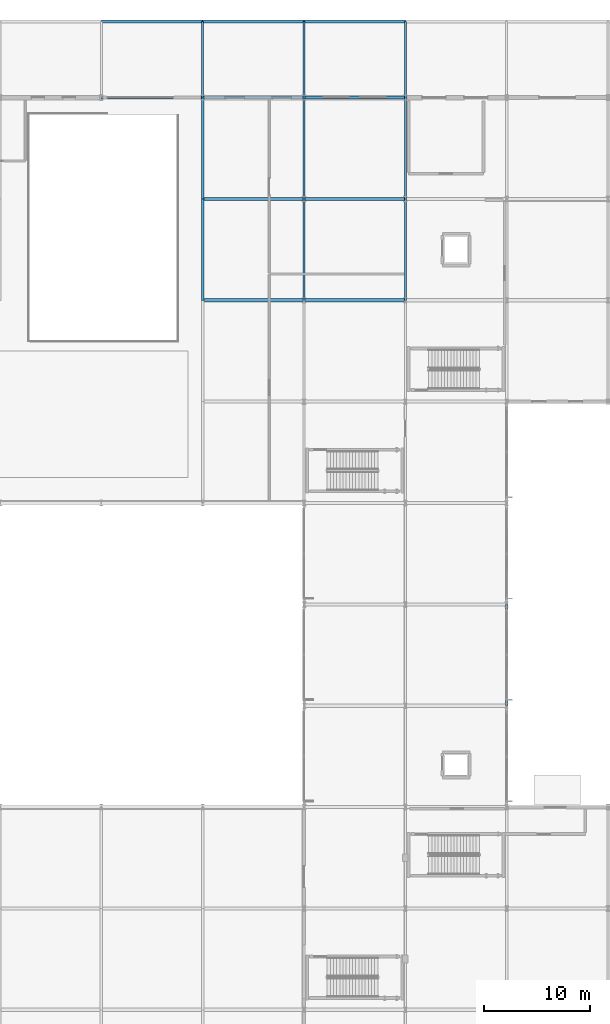
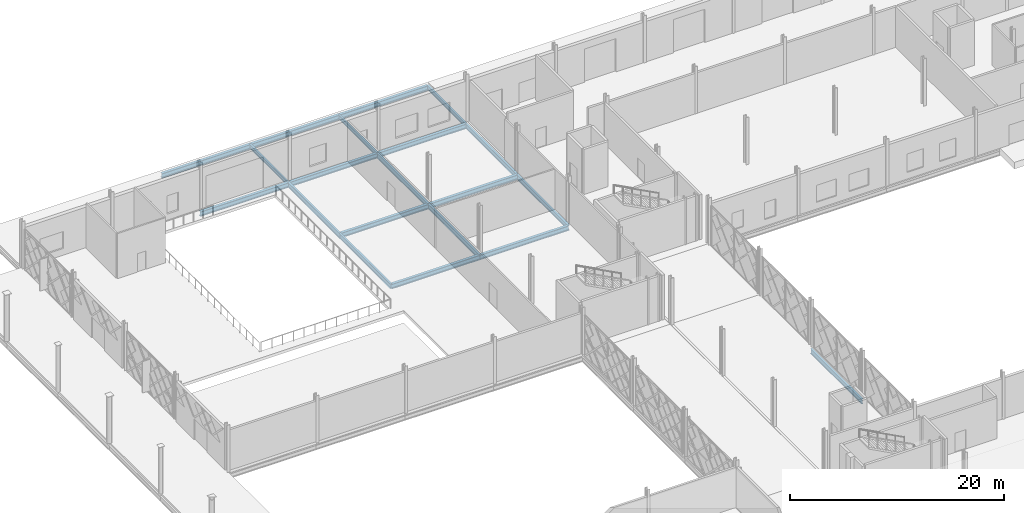
# One storey, part 37 of 84: 20 beams.
"""IFC4 building model written with IfcOpenShell, lengths in metres."""

from ifc_helpers import new_model, si_unit, direction, frame, origin, origin_2d, place, context, subcontext, project, spatial, i_section, extrude, material, material_profile, profile_set, type_object, element, save


model = new_model("IFC4")

# Units and contexts
model_context = context("Model", 3, precision=1e-05, world=origin(), true_north=direction((0.0, 1.0)))
body_context = subcontext(model_context, "Body", "Model", "MODEL_VIEW")
ifc_project = project(units=[si_unit("LENGTHUNIT", "METRE"), si_unit("AREAUNIT", "SQUARE_METRE"), si_unit("VOLUMEUNIT", "CUBIC_METRE"), si_unit("PLANEANGLEUNIT", "RADIAN"), si_unit("MASSUNIT", "GRAM", prefix="KILO")], contexts=[model_context])

# Site, building, storey
site_placement = place(None, origin())
site = spatial("IfcSite", under=ifc_project, at=site_placement, CompositionType="ELEMENT")
building_placement = place(site_placement, origin())
building = spatial("IfcBuilding", under=site, at=building_placement, Name="Zevrakil Square Congress Hotel", CompositionType="ELEMENT")
storey_placement = place(building_placement, origin())
storey = spatial("IfcBuildingStorey", under=building, at=storey_placement, Name="L01", CompositionType="ELEMENT", Elevation=0.0)

# Beams
ifc_material_1 = material(Name="Steel S355", Category="steel")
ifc_material_profile_1 = material_profile(ifc_material_1, i_section(OverallWidth=0.300048828125, OverallDepth=0.5400390625, WebThickness=0.012451171875, FlangeThickness=0.02392578125, FilletRadius=0.027099609375, at=origin_2d()), Name="HEA 550")
ifc_profile_set_1 = profile_set([ifc_material_profile_1], Name="Steel S355")
beam_type_1 = type_object("IfcBeamType", Name="BM-HEA550", PredefinedType="BEAM", material=ifc_profile_set_1)
beam_1_placement = place(storey_placement, frame((36.0, 93.60009765625, -0.590087890625), z_axis=(1.0, 0.0, 0.0), x_axis=(0.0, 1.0, 0.0)))
element("IfcBeam", 1, at=beam_1_placement, inside=storey, type_object=beam_type_1, Name="L01 primary girder BX-0401", PredefinedType="BEAM", context=body_context, shape_type="SweptSolid", body=[
    extrude(i_section(OverallWidth=0.300048828125, OverallDepth=0.5400390625, WebThickness=0.012451171875, FlangeThickness=0.02392578125, FilletRadius=0.027099609375, at=origin_2d()), origin(), (0.0, 0.0, 1.0), 9.60009765625),
])
beam_2_placement = place(storey_placement, frame((45.60009765625, 93.60009765625, -0.590087890625), z_axis=(1.0, 0.0, 0.0), x_axis=(0.0, 1.0, 0.0)))
element("IfcBeam", 2, at=beam_2_placement, inside=storey, type_object=beam_type_1, Name="L01 primary girder BX-0402", PredefinedType="BEAM", context=body_context, shape_type="SweptSolid", body=[
    extrude(i_section(OverallWidth=0.300048828125, OverallDepth=0.5400390625, WebThickness=0.012451171875, FlangeThickness=0.02392578125, FilletRadius=0.027099609375, at=origin_2d()), origin(), (0.0, 0.0, 1.0), 9.599853515625),
])
beam_3_placement = place(storey_placement, frame((36.0, 103.199951171875, -0.590087890625), z_axis=(1.0, 0.0, 0.0), x_axis=(0.0, 1.0, 0.0)))
element("IfcBeam", 3, at=beam_3_placement, inside=storey, type_object=beam_type_1, Name="L01 primary girder BX-0413", PredefinedType="BEAM", context=body_context, shape_type="SweptSolid", body=[
    extrude(i_section(OverallWidth=0.300048828125, OverallDepth=0.5400390625, WebThickness=0.012451171875, FlangeThickness=0.02392578125, FilletRadius=0.027099609375, at=origin_2d()), origin(), (0.0, 0.0, 1.0), 9.60009765625),
])
beam_4_placement = place(storey_placement, frame((45.60009765625, 103.199951171875, -0.590087890625), z_axis=(1.0, 0.0, 0.0), x_axis=(0.0, 1.0, 0.0)))
element("IfcBeam", 4, at=beam_4_placement, inside=storey, type_object=beam_type_1, Name="L01 primary girder BX-0414", PredefinedType="BEAM", context=body_context, shape_type="SweptSolid", body=[
    extrude(i_section(OverallWidth=0.300048828125, OverallDepth=0.5400390625, WebThickness=0.012451171875, FlangeThickness=0.02392578125, FilletRadius=0.027099609375, at=origin_2d()), origin(), (0.0, 0.0, 1.0), 9.599853515625),
])
for number, where, z_axis, x_axis, name in (
    (5, (26.39990234375, 112.800048828125, -0.590087890625), (1.0, 0.0, 0.0), (0.0, 1.0, 0.0), "L01 primary girder BX-0426"),
    (6, (36.0, 112.800048828125, -0.590087890625), (1.0, 0.0, 0.0), (0.0, 1.0, 0.0), "L01 primary girder BX-0427"),
):
    element("IfcBeam", number, at=place(storey_placement, frame(where, z_axis=z_axis, x_axis=x_axis)), inside=storey, type_object=beam_type_1, Name=name, PredefinedType="BEAM", context=body_context, shape_type="SweptSolid", body=[
        extrude(i_section(OverallWidth=0.300048828125, OverallDepth=0.5400390625, WebThickness=0.012451171875, FlangeThickness=0.02392578125, FilletRadius=0.027099609375, at=origin_2d()), origin(), (0.0, 0.0, 1.0), 9.60009765625),
    ])
beam_5_placement = place(storey_placement, frame((45.60009765625, 112.800048828125, -0.590087890625), z_axis=(1.0, 0.0, 0.0), x_axis=(0.0, 1.0, 0.0)))
element("IfcBeam", 7, at=beam_5_placement, inside=storey, type_object=beam_type_1, Name="L01 primary girder BX-0428", PredefinedType="BEAM", context=body_context, shape_type="SweptSolid", body=[
    extrude(i_section(OverallWidth=0.300048828125, OverallDepth=0.5400390625, WebThickness=0.012451171875, FlangeThickness=0.02392578125, FilletRadius=0.027099609375, at=origin_2d()), origin(), (0.0, 0.0, 1.0), 9.599853515625),
])
for number, where, z_axis, x_axis, name in (
    (8, (26.39990234375, 120.0, -0.590087890625), (1.0, 0.0, 0.0), (0.0, 1.0, 0.0), "L01 primary girder BX-0444"),
    (9, (36.0, 120.0, -0.590087890625), (1.0, 0.0, 0.0), (0.0, 1.0, 0.0), "L01 primary girder BX-0445"),
):
    element("IfcBeam", number, at=place(storey_placement, frame(where, z_axis=z_axis, x_axis=x_axis)), inside=storey, type_object=beam_type_1, Name=name, PredefinedType="BEAM", context=body_context, shape_type="SweptSolid", body=[
        extrude(i_section(OverallWidth=0.300048828125, OverallDepth=0.5400390625, WebThickness=0.012451171875, FlangeThickness=0.02392578125, FilletRadius=0.027099609375, at=origin_2d()), origin(), (0.0, 0.0, 1.0), 9.60009765625),
    ])
beam_6_placement = place(storey_placement, frame((45.60009765625, 120.0, -0.590087890625), z_axis=(1.0, 0.0, 0.0), x_axis=(0.0, 1.0, 0.0)))
element("IfcBeam", 10, at=beam_6_placement, inside=storey, type_object=beam_type_1, Name="L01 primary girder BX-0446", PredefinedType="BEAM", context=body_context, shape_type="SweptSolid", body=[
    extrude(i_section(OverallWidth=0.300048828125, OverallDepth=0.5400390625, WebThickness=0.012451171875, FlangeThickness=0.02392578125, FilletRadius=0.027099609375, at=origin_2d()), origin(), (0.0, 0.0, 1.0), 9.599853515625),
])
ifc_material_2 = material(Name="Steel S355", Category="steel")
ifc_material_profile_2 = material_profile(ifc_material_2, i_section(OverallWidth=0.18994140625, OverallDepth=0.449951171875, WebThickness=0.009521484375, FlangeThickness=0.0146484375, FilletRadius=0.02099609375, at=origin_2d()), Name="IPE 450")
ifc_profile_set_2 = profile_set([ifc_material_profile_2], Name="Steel S355")
beam_type_2 = type_object("IfcBeamType", Name="BM-IPE450", PredefinedType="BEAM", material=ifc_profile_set_2)
for number, where, z_axis, x_axis, name in (
    (11, (36.0, 112.800048828125, -0.544921875), (0.0, 1.0, 0.0), (-1.0, 0.0, 0.0), "L01 primary girder BY-0504"),
    (12, (45.60009765625, 112.800048828125, -0.544921875), (0.0, 1.0, 0.0), (-1.0, 0.0, 0.0), "L01 primary girder BY-0517"),
    (13, (55.199951171875, 112.800048828125, -0.544921875), (0.0, 1.0, 0.0), (-1.0, 0.0, 0.0), "L01 primary girder BY-0534"),
):
    element("IfcBeam", number, at=place(storey_placement, frame(where, z_axis=z_axis, x_axis=x_axis)), inside=storey, type_object=beam_type_2, Name=name, PredefinedType="BEAM", context=body_context, shape_type="SweptSolid", body=[
        extrude(i_section(OverallWidth=0.18994140625, OverallDepth=0.449951171875, WebThickness=0.009521484375, FlangeThickness=0.0146484375, FilletRadius=0.02099609375, at=origin_2d()), origin(), (0.0, 0.0, 1.0), 7.199951171875),
    ])
ifc_material_3 = material(Name="Steel S355", Category="steel")
ifc_material_profile_3 = material_profile(ifc_material_3, i_section(OverallWidth=0.2099609375, OverallDepth=0.550048828125, WebThickness=0.010986328125, FlangeThickness=0.01708984375, FilletRadius=0.02392578125, at=origin_2d()), Name="IPE 550")
ifc_profile_set_3 = profile_set([ifc_material_profile_3], Name="Steel S355")
beam_type_3 = type_object("IfcBeamType", Name="BM-IPE550", PredefinedType="BEAM", material=ifc_profile_set_3)
beam_7_placement = place(storey_placement, frame((36.0, 93.60009765625, -0.594970703125), z_axis=(0.0, 1.0, 0.0), x_axis=(-1.0, 0.0, 0.0)))
element("IfcBeam", 14, at=beam_7_placement, inside=storey, type_object=beam_type_3, Name="L01 primary girder BY-0502", PredefinedType="BEAM", context=body_context, shape_type="SweptSolid", body=[
    extrude(i_section(OverallWidth=0.2099609375, OverallDepth=0.550048828125, WebThickness=0.010986328125, FlangeThickness=0.01708984375, FilletRadius=0.02392578125, at=origin_2d()), origin(), (0.0, 0.0, 1.0), 9.599853515625),
])
beam_8_placement = place(storey_placement, frame((36.0, 103.199951171875, -0.594970703125), z_axis=(0.0, 1.0, 0.0), x_axis=(-1.0, 0.0, 0.0)))
element("IfcBeam", 15, at=beam_8_placement, inside=storey, type_object=beam_type_3, Name="L01 primary girder BY-0503", PredefinedType="BEAM", context=body_context, shape_type="SweptSolid", body=[
    extrude(i_section(OverallWidth=0.2099609375, OverallDepth=0.550048828125, WebThickness=0.010986328125, FlangeThickness=0.01708984375, FilletRadius=0.02392578125, at=origin_2d()), origin(), (0.0, 0.0, 1.0), 9.60009765625),
])
beam_9_placement = place(storey_placement, frame((45.60009765625, 93.60009765625, -0.594970703125), z_axis=(0.0, 1.0, 0.0), x_axis=(-1.0, 0.0, 0.0)))
element("IfcBeam", 16, at=beam_9_placement, inside=storey, type_object=beam_type_3, Name="L01 primary girder BY-0515", PredefinedType="BEAM", context=body_context, shape_type="SweptSolid", body=[
    extrude(i_section(OverallWidth=0.2099609375, OverallDepth=0.550048828125, WebThickness=0.010986328125, FlangeThickness=0.01708984375, FilletRadius=0.02392578125, at=origin_2d()), origin(), (0.0, 0.0, 1.0), 9.599853515625),
])
beam_10_placement = place(storey_placement, frame((45.60009765625, 103.199951171875, -0.594970703125), z_axis=(0.0, 1.0, 0.0), x_axis=(-1.0, 0.0, 0.0)))
element("IfcBeam", 17, at=beam_10_placement, inside=storey, type_object=beam_type_3, Name="L01 primary girder BY-0516", PredefinedType="BEAM", context=body_context, shape_type="SweptSolid", body=[
    extrude(i_section(OverallWidth=0.2099609375, OverallDepth=0.550048828125, WebThickness=0.010986328125, FlangeThickness=0.01708984375, FilletRadius=0.02392578125, at=origin_2d()), origin(), (0.0, 0.0, 1.0), 9.60009765625),
])
beam_11_placement = place(storey_placement, frame((55.199951171875, 93.60009765625, -0.594970703125), z_axis=(0.0, 1.0, 0.0), x_axis=(-1.0, 0.0, 0.0)))
element("IfcBeam", 18, at=beam_11_placement, inside=storey, type_object=beam_type_3, Name="L01 primary girder BY-0532", PredefinedType="BEAM", context=body_context, shape_type="SweptSolid", body=[
    extrude(i_section(OverallWidth=0.2099609375, OverallDepth=0.550048828125, WebThickness=0.010986328125, FlangeThickness=0.01708984375, FilletRadius=0.02392578125, at=origin_2d()), origin(), (0.0, 0.0, 1.0), 9.599853515625),
])
for number, where, z_axis, x_axis, name in (
    (19, (55.199951171875, 103.199951171875, -0.594970703125), (0.0, 1.0, 0.0), (-1.0, 0.0, 0.0), "L01 primary girder BY-0533"),
    (20, (64.800048828125, 55.199951171875, -0.594970703125), (0.0, 1.0, 0.0), (-1.0, 0.0, 0.0), "L01 primary girder BY-0541"),
):
    element("IfcBeam", number, at=place(storey_placement, frame(where, z_axis=z_axis, x_axis=x_axis)), inside=storey, type_object=beam_type_3, Name=name, PredefinedType="BEAM", context=body_context, shape_type="SweptSolid", body=[
        extrude(i_section(OverallWidth=0.2099609375, OverallDepth=0.550048828125, WebThickness=0.010986328125, FlangeThickness=0.01708984375, FilletRadius=0.02392578125, at=origin_2d()), origin(), (0.0, 0.0, 1.0), 9.60009765625),
    ])

save(model, "model.ifc")
